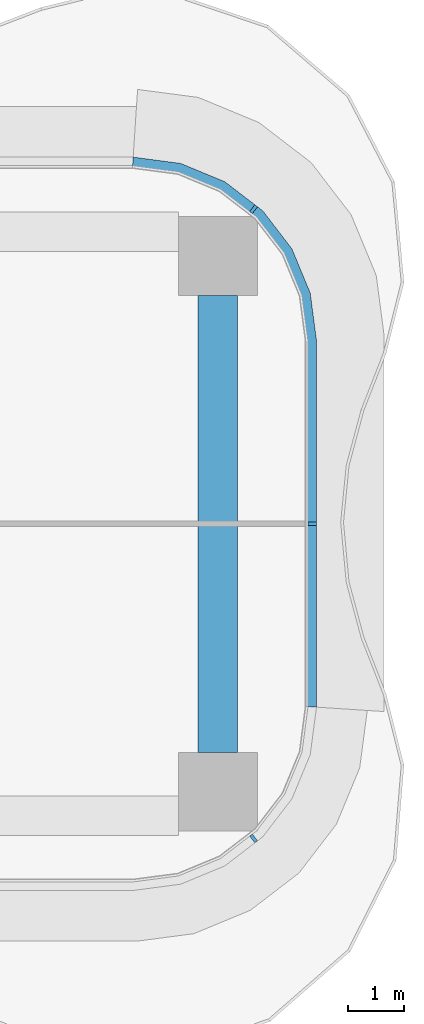
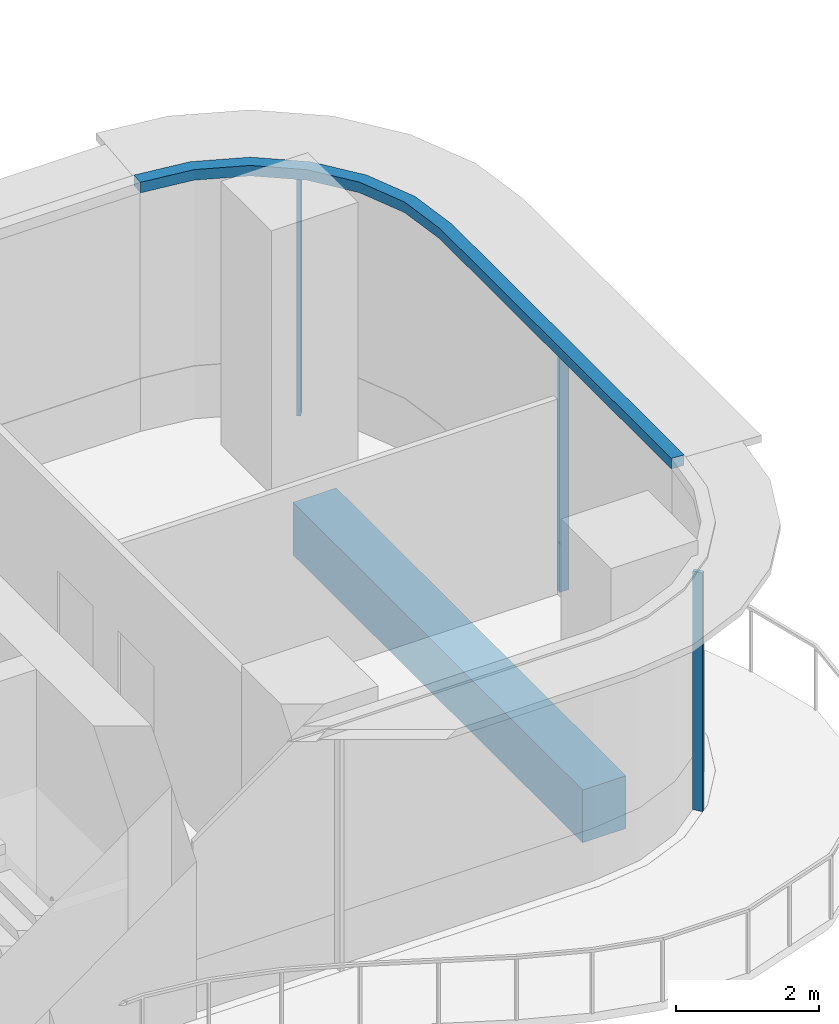
# One storey, part 13 of 22: 4 members, 1 beam, 2 elements without a shape of their own.
"""IFC4 building model written with IfcOpenShell, lengths in metres."""

from ifc_helpers import new_model, si_unit, direction, frame, origin, origin_2d, place, context, subcontext, project, spatial, polyline, rectangle, outline, extrude, source, transform, mapped, material, layer, layer_set, material_profile, profile_set, type_object, element, aggregate, save


model = new_model("IFC4")

# Units and contexts
model_context = context("Model", 3, precision=1e-05, world=origin(), true_north=direction((0.0, 1.0)))
body_context = subcontext(model_context, "Body", "Model", "MODEL_VIEW")
ifc_project = project(units=[si_unit("LENGTHUNIT", "METRE"), si_unit("AREAUNIT", "SQUARE_METRE"), si_unit("VOLUMEUNIT", "CUBIC_METRE"), si_unit("PLANEANGLEUNIT", "RADIAN"), si_unit("MASSUNIT", "GRAM", prefix="KILO")], contexts=[model_context])

# Site, building, storey
site_placement = place(None, origin())
site = spatial("IfcSite", under=ifc_project, at=site_placement, CompositionType="ELEMENT")
building_placement = place(site_placement, origin())
building = spatial("IfcBuilding", under=site, at=building_placement, Name="Trellis Farm Tower", CompositionType="ELEMENT")
storey_placement = place(building_placement, frame((0.0, 0.0, 61.0)))
storey = spatial("IfcBuildingStorey", under=building, at=storey_placement, Name="L12", CompositionType="ELEMENT", Elevation=61.0)

# Beam
ifc_material_1 = material(Name="Concrete C60/75", Category="concrete")
ifc_material_profile_1 = material_profile(ifc_material_1, rectangle(XDim=0.699951171875, YDim=0.89990234375, at=origin_2d()), Name="RC spandrel beam 700x900 C60/75")
ifc_profile_set_1 = profile_set([ifc_material_profile_1], Name="Concrete C60/75")
beam_type = type_object("IfcBeamType", Name="RC spandrel beam 700x900 C60/75", PredefinedType="SPANDREL", material=ifc_profile_set_1)
shared_shape_1 = source(origin(), body_context, "Body", "SweptSolid", [
    extrude(rectangle(XDim=0.699951171875, YDim=0.89990234375, at=origin_2d()), origin(), (0.0, 0.0, 1.0), 8.10009765625),
])
beam_placement = place(storey_placement, frame((30.75, -4.050048828125, -0.699951171875), z_axis=(0.0, 1.0, 0.0), x_axis=(-1.0, 0.0, 0.0)))
element("IfcBeam", 1, at=beam_placement, inside=storey, type_object=beam_type, Name="Girder", PredefinedType="SPANDREL", context=body_context, shape_type="MappedRepresentation", body=[
    mapped(shared_shape_1, transform((0.0, 0.0, 0.0))),
])

# Curtain wall, member
ifc_material_2 = material(Name="Aluminium and glass curtain wall", Category="aluminium")
ifc_layer_1 = layer(ifc_material_2, 0.18994140625)
ifc_layer_set_1 = layer_set([ifc_layer_1], Name="RIBBON CURTAIN WALL CW1")
curtain_wall_type = type_object("IfcCurtainWallType", Name="RIBBON CURTAIN WALL CW1", PredefinedType="NOTDEFINED", material=ifc_layer_set_1)
placement = place(storey_placement, origin())
curtain_wall_1 = element("IfcCurtainWall", 2, at=placement, inside=storey, type_object=curtain_wall_type, Name="CW1 006", PredefinedType="NOTDEFINED")
ifc_material_3 = material(Name="Aluminium extrusion 6063-T6", Category="aluminium")
ifc_material_profile_2 = material_profile(ifc_material_3, rectangle(XDim=0.06005859375, YDim=0.14990234375, at=origin_2d()), Name="MULLION 60x150")
ifc_profile_set_2 = profile_set([ifc_material_profile_2], Name="Aluminium extrusion 6063-T6")
member_type_1 = type_object("IfcMemberType", Name="CW1 MULLION 60x150", PredefinedType="MULLION", material=ifc_profile_set_2)
shared_shape_2 = source(origin(), body_context, "Body", "SweptSolid", [
    extrude(rectangle(XDim=0.06005859375, YDim=0.14990234375, at=origin_2d()), origin(), (0.0, 0.0, 1.0), 4.070068359375),
])
member_1_placement = place(storey_placement, frame((31.385498046875, -5.578369140625, 0.0), z_axis=(0.0, 0.0, 1.0), x_axis=(0.793353340291, 0.608761429009, 0.0)))
member_1 = element("IfcMember", 3, at=member_1_placement, type_object=member_type_1, Name="MU1 006-02", PredefinedType="MULLION", context=body_context, shape_type="MappedRepresentation", body=[
    mapped(shared_shape_2, transform((0.0, 0.0, 0.0))),
])
aggregate(curtain_wall_1, [member_1])

# Curtain wall, members
curtain_wall_2 = element("IfcCurtainWall", 4, at=placement, inside=storey, type_object=curtain_wall_type, Name="CW1 007", PredefinedType="NOTDEFINED")
member_2_placement = place(storey_placement, frame((32.425048828125, 0.0, 0.0), z_axis=(0.0, 0.0, 1.0), x_axis=(0.0, 1.0, 0.0)))
member_2 = element("IfcMember", 5, at=member_2_placement, type_object=member_type_1, Name="MU1 007-01", PredefinedType="MULLION", context=body_context, shape_type="MappedRepresentation", body=[
    mapped(shared_shape_2, transform((0.0, 0.0, 0.0))),
])
member_3_placement = place(storey_placement, frame((31.385498046875, 5.578369140625, 0.0), z_axis=(0.0, 0.0, 1.0), x_axis=(-0.793353340291, 0.608761429009, 0.0)))
member_3 = element("IfcMember", 6, at=member_3_placement, type_object=member_type_1, Name="MU1 007-02", PredefinedType="MULLION", context=body_context, shape_type="MappedRepresentation", body=[
    mapped(shared_shape_2, transform((0.0, 0.0, 0.0))),
])
ifc_layer_2 = layer(ifc_material_3, 0.199951171875)
ifc_layer_set_2 = layer_set([ifc_layer_2], Name="Aluminium extrusion 6063-T6")
member_type_2 = type_object("IfcMemberType", Name="CW1 TRANSOM 200x180", PredefinedType="USERDEFINED", material=ifc_layer_set_2)
shared_shape_3 = source(origin(), body_context, "Body", "SweptSolid", [
    extrude(outline(polyline([(32.5, -3.25), (32.5, 3.25), (32.38916015625, 4.091064453125), (32.064697265625, 4.875), (31.548095703125, 5.548095703125), (30.875, 6.064697265625), (30.091064453125, 6.38916015625), (29.25, 6.5), (29.23681640625, 6.300048828125), (30.0390625, 6.1943359375), (30.774169921875, 5.889892578125), (31.405517578125, 5.405517578125), (31.889892578125, 4.774169921875), (32.1943359375, 4.0390625), (32.300048828125, 3.23681640625), (32.300048828125, -3.23681640625), (32.5, -3.25)])), origin(), (0.0, 0.0, 1.0), 0.179931640625),
])
member_4_placement = place(storey_placement, frame((0.0, 0.0, 4.070068359375)))
member_4 = element("IfcMember", 7, at=member_4_placement, type_object=member_type_2, Name="TR1 007", ObjectType="TRANSOM", PredefinedType="USERDEFINED", context=body_context, shape_type="MappedRepresentation", body=[
    mapped(shared_shape_3, transform((0.0, 0.0, 0.0))),
])
aggregate(curtain_wall_2, [member_2, member_3, member_4])

save(model, "model.ifc")
